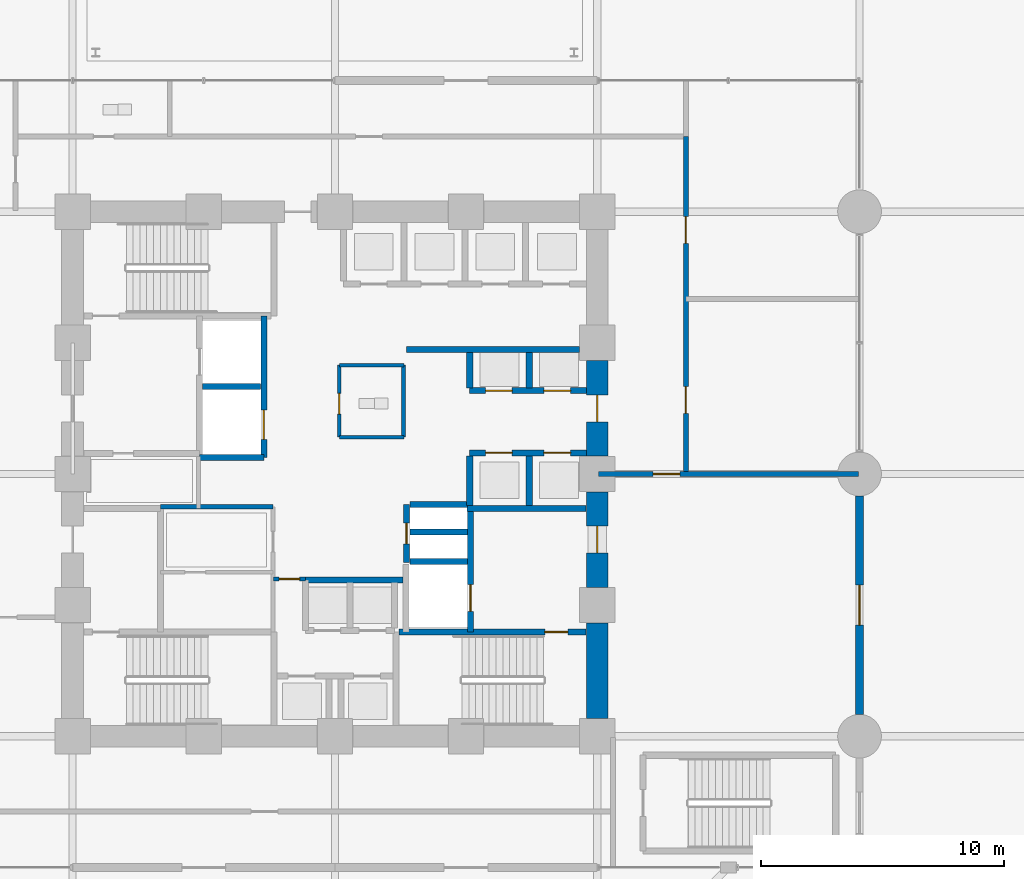
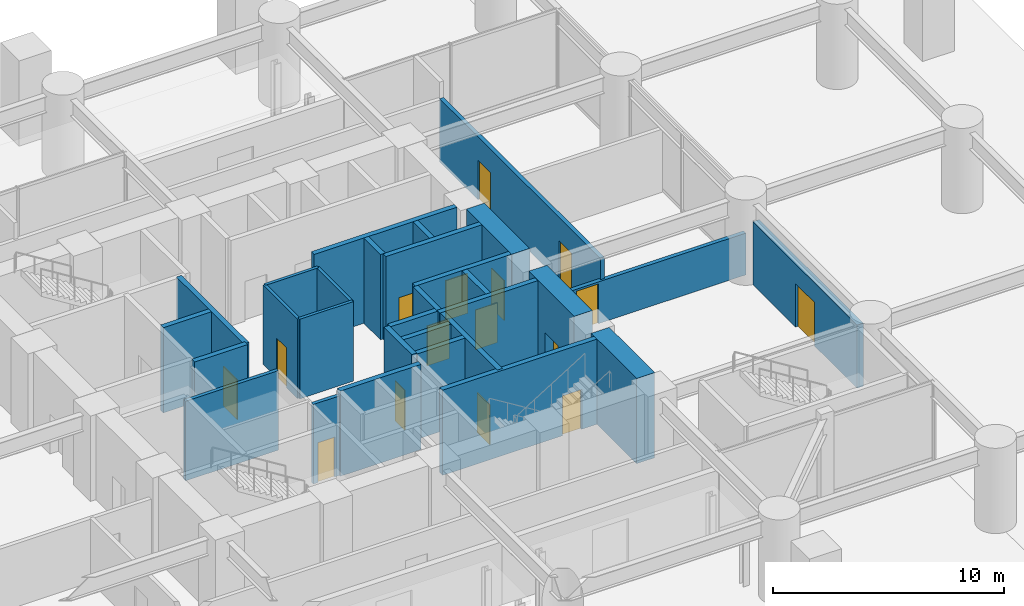
# One storey, part 20 of 29: 30 walls, 16 doors, 16 openings.
"""IFC4 building model written with IfcOpenShell, lengths in metres."""

from ifc_helpers import new_model, si_unit, direction, frame, frame_2d, origin, place, context, subcontext, project, spatial, rectangle, extrude, material, layer, layer_set, type_object, element, fill, save


model = new_model("IFC4")

# Units and contexts
model_context = context("Model", 3, precision=1e-05, world=origin(), true_north=direction((0.0, 1.0)))
body_context = subcontext(model_context, "Body", "Model", "MODEL_VIEW")
ifc_project = project(units=[si_unit("LENGTHUNIT", "METRE"), si_unit("AREAUNIT", "SQUARE_METRE"), si_unit("VOLUMEUNIT", "CUBIC_METRE"), si_unit("PLANEANGLEUNIT", "RADIAN"), si_unit("MASSUNIT", "GRAM", prefix="KILO")], contexts=[model_context])

# Site, building, storey
site_placement = place(None, origin())
site = spatial("IfcSite", under=ifc_project, at=site_placement, CompositionType="ELEMENT")
building_placement = place(site_placement, origin())
building = spatial("IfcBuilding", under=site, at=building_placement, Name="Surkhivell Harbour Commons", CompositionType="ELEMENT")
storey_placement = place(building_placement, origin())
storey = spatial("IfcBuildingStorey", under=building, at=storey_placement, Name="L00", CompositionType="ELEMENT", Elevation=0.0)

# Wall
ifc_material_1 = material(Name="Concrete C80/95", Category="concrete")
ifc_layer_1 = layer(ifc_material_1, 0.89990234375)
ifc_layer_set_1 = layer_set([ifc_layer_1], Name="Concrete C80/95")
wall_type_1 = type_object("IfcWallType", Name="WAL-CORE-900", PredefinedType="SHEAR", material=ifc_layer_set_1)
wall_1_placement = place(storey_placement, frame((10.800048828125, -10.06494140625, 0.0), z_axis=(0.0, 0.0, 1.0), x_axis=(0.0, 1.0, 0.0)))
element("IfcWall", 1, at=wall_1_placement, inside=storey, type_object=wall_type_1, Name="L00 Core Shear Wall East 1", PredefinedType="SHEAR", context=body_context, shape_type="SweptSolid", body=[
    extrude(rectangle(XDim=3.929931640625, YDim=0.89990234375, at=frame_2d((1.96484375, 0.0))), origin(), (0.0, 0.0, 1.0), 4.5),
])

# Wall, opening, door
wall_2_placement = place(storey_placement, frame((10.800048828125, -4.6650390625, 0.0), z_axis=(0.0, 0.0, 1.0), x_axis=(0.0, 1.0, 0.0)))
wall_2 = element("IfcWall", 2, at=wall_2_placement, inside=storey, type_object=wall_type_1, Name="L00 Core Shear Wall East 2", PredefinedType="SHEAR", context=body_context, shape_type="SweptSolid", body=[
    extrude(rectangle(XDim=3.929931640625, YDim=0.89990234375, at=frame_2d((1.96484375, 0.0))), origin(), (0.0, 0.0, 1.0), 4.5),
])
opening_1_placement = place(wall_2_placement, frame((1.4150390625, 0.0, 0.0)))
opening_1 = element("IfcOpeningElement", 3, at=opening_1_placement, cuts=wall_2, Name="Opening ID-1", PredefinedType="OPENING", context=body_context, shape_type="SweptSolid", body=[
    extrude(rectangle(XDim=1.10009765625, YDim=2.10009765625, at=frame_2d((0.550048828125, 1.050048828125))), frame((0.0, 0.4599609375, 0.0), z_axis=(0.0, -1.0, 0.0), x_axis=(1.0, 0.0, 0.0)), (0.0, 0.0, 1.0), 0.919921875),
])
ifc_material_2 = material(Name="Hardwood-veneered fire-rated door leaf", Category="wood")
door_type_1 = type_object("IfcDoorType", Name="DOR-FD120-1100", OperationType="NOTDEFINED", PredefinedType="DOOR", material=ifc_material_2)
door_1_placement = place(opening_1_placement, origin())
door_1 = element("IfcDoor", 4, at=door_1_placement, inside=storey, type_object=door_type_1, Name="L00 Firefighting Lobby 2 Corridor Door", OperationType="SINGLE_SWING_RIGHT", OverallHeight=2.10009765625, OverallWidth=1.10009765625, PredefinedType="DOOR", context=body_context, shape_type="SweptSolid", body=[
    extrude(rectangle(XDim=1.10009765625, YDim=2.10009765625, at=frame_2d((0.550048828125, 1.050048828125))), frame((0.0, 0.02490234375, 0.0), z_axis=(0.0, -1.0, 0.0), x_axis=(1.0, 0.0, 0.0)), (0.0, 0.0, 1.0), 0.050048828125),
])
fill(opening_1, door_1)

wall_3_placement = place(storey_placement, frame((10.800048828125, 0.735107421875, 0.0), z_axis=(0.0, 0.0, 1.0), x_axis=(0.0, 1.0, 0.0)))
wall_3 = element("IfcWall", 5, at=wall_3_placement, inside=storey, type_object=wall_type_1, Name="L00 Core Shear Wall East 3", PredefinedType="SHEAR", context=body_context, shape_type="SweptSolid", body=[
    extrude(rectangle(XDim=3.929931640625, YDim=0.89990234375, at=frame_2d((1.96484375, 0.0))), origin(), (0.0, 0.0, 1.0), 4.5),
])
opening_2_placement = place(wall_3_placement, frame((1.4150390625, 0.0, 0.0)))
opening_2 = element("IfcOpeningElement", 6, at=opening_2_placement, cuts=wall_3, Name="Opening ID-2", PredefinedType="OPENING", context=body_context, shape_type="SweptSolid", body=[
    extrude(rectangle(XDim=1.10009765625, YDim=2.10009765625, at=frame_2d((0.550048828125, 1.050048828125))), frame((0.0, 0.4599609375, 0.0), z_axis=(0.0, -1.0, 0.0), x_axis=(1.0, 0.0, 0.0)), (0.0, 0.0, 1.0), 0.919921875),
])
door_type_2 = type_object("IfcDoorType", Name="DOR-FD60-1100", OperationType="NOTDEFINED", PredefinedType="DOOR", material=ifc_material_2)
door_2_placement = place(opening_2_placement, origin())
door_2 = element("IfcDoor", 7, at=door_2_placement, inside=storey, type_object=door_type_2, Name="L00 Mid-Rise Lobby East Door", OperationType="SINGLE_SWING_LEFT", OverallHeight=2.10009765625, OverallWidth=1.10009765625, PredefinedType="DOOR", context=body_context, shape_type="SweptSolid", body=[
    extrude(rectangle(XDim=1.10009765625, YDim=2.10009765625, at=frame_2d((0.550048828125, 1.050048828125))), frame((0.0, 0.02490234375, 0.0), z_axis=(0.0, -1.0, 0.0), x_axis=(1.0, 0.0, 0.0)), (0.0, 0.0, 1.0), 0.050048828125),
])
fill(opening_2, door_2)

ifc_material_3 = material(Name="Kiln-fired surkhi brick and precast concrete C45/55", Category="masonry")
ifc_layer_2 = layer(ifc_material_3, 0.320068359375)
ifc_layer_set_2 = layer_set([ifc_layer_2], Name="Kiln-fired surkhi brick and precast concrete C45/55")
wall_type_2 = type_object("IfcWallType", Name="WAL-EXT-BRK320", PredefinedType="STANDARD", material=ifc_layer_set_2)
wall_4_placement = place(storey_placement, frame((21.60009765625, -0.89794921875, 0.0), z_axis=(0.0, 0.0, 1.0), x_axis=(0.0, -1.0, 0.0)))
wall_4 = element("IfcWall", 8, at=wall_4_placement, inside=storey, type_object=wall_type_2, Name="L00 Concourse Brick Facade Wall L00-EXE1", PredefinedType="STANDARD", context=body_context, shape_type="SweptSolid", body=[
    extrude(rectangle(XDim=9.004150390625, YDim=0.320068359375, at=frame_2d((4.501953125, 0.0))), origin(), (0.0, 0.0, 1.0), 3.3291015625),
])
opening_3_placement = place(wall_4_placement, frame((3.677001953125, 0.0, 0.0)))
opening_3 = element("IfcOpeningElement", 9, at=opening_3_placement, cuts=wall_4, Name="Opening ED-2", PredefinedType="OPENING", context=body_context, shape_type="SweptSolid", body=[
    extrude(rectangle(XDim=1.64990234375, YDim=2.300048828125, at=frame_2d((0.824951171875, 1.14990234375))), frame((0.0, 0.169921875, 0.0), z_axis=(0.0, -1.0, 0.0), x_axis=(1.0, 0.0, 0.0)), (0.0, 0.0, 1.0), 0.340087890625),
])
ifc_material_4 = material(Name="Anodised pale-metal aluminium and laminated safety glass", Category="aluminium")
door_type_3 = type_object("IfcDoorType", Name="DOR-EXT-EXIT1650", OperationType="DOUBLE_DOOR_SINGLE_SWING", PredefinedType="DOOR", material=ifc_material_4)
door_3_placement = place(opening_3_placement, origin())
door_3 = element("IfcDoor", 10, at=door_3_placement, inside=storey, type_object=door_type_3, Name="L00 East Stair Discharge Final Exit Door", OperationType="DOUBLE_DOOR_SINGLE_SWING", OverallHeight=2.300048828125, OverallWidth=1.64990234375, PredefinedType="DOOR", context=body_context, shape_type="SweptSolid", body=[
    extrude(rectangle(XDim=1.64990234375, YDim=2.300048828125, at=frame_2d((0.824951171875, 1.14990234375))), frame((0.0, 0.02490234375, 0.0), z_axis=(0.0, -1.0, 0.0), x_axis=(1.0, 0.0, 0.0)), (0.0, 0.0, 1.0), 0.050048828125),
])
fill(opening_3, door_3)

# Walls
ifc_material_5 = material(Name="Twin-stud acoustic fireboard partition", Category="other")
ifc_layer_3 = layer(ifc_material_5, 0.14990234375)
ifc_layer_set_3 = layer_set([ifc_layer_3], Name="Twin-stud acoustic fireboard partition")
wall_type_3 = type_object("IfcWallType", Name="WAL-INT-150", PredefinedType="PARTITIONING", material=ifc_layer_set_3)
wall_5_placement = place(storey_placement, frame((2.820068359375, 1.52001953125, 0.0), z_axis=(0.0, 0.0, 1.0), x_axis=(0.0, 1.0, 0.0)))
element("IfcWall", 11, at=wall_5_placement, inside=storey, type_object=wall_type_3, Name="L00 Core Accessible WC East Wall", PredefinedType="PARTITIONING", context=body_context, shape_type="SweptSolid", body=[
    extrude(rectangle(XDim=2.9599609375, YDim=0.14990234375, at=frame_2d((1.47998046875, 0.0))), origin(), (0.0, 0.0, 1.0), 4.199951171875),
])
for number, where, z_axis, x_axis, name in (
    (12, (0.179931640625, 4.47998046875, 0.0), (0.0, 0.0, 1.0), (1.0, 0.0, 0.0), "L00 Core Accessible WC North Wall"),
    (13, (0.179931640625, 1.52001953125, 0.0), (0.0, 0.0, 1.0), (1.0, 0.0, 0.0), "L00 Core Accessible WC South Wall"),
):
    element("IfcWall", number, at=place(storey_placement, frame(where, z_axis=z_axis, x_axis=x_axis)), inside=storey, type_object=wall_type_3, Name=name, PredefinedType="PARTITIONING", context=body_context, shape_type="SweptSolid", body=[
        extrude(rectangle(XDim=2.670166015625, YDim=0.14990234375, at=frame_2d((1.3349609375, 0.0))), origin(), (0.0, 0.0, 1.0), 4.199951171875),
    ])

# Wall, opening, door
wall_6_placement = place(storey_placement, frame((0.179931640625, 1.52001953125, 0.0), z_axis=(0.0, 0.0, 1.0), x_axis=(0.0, 1.0, 0.0)))
wall_6 = element("IfcWall", 14, at=wall_6_placement, inside=storey, type_object=wall_type_3, Name="L00 Core Accessible WC West Wall", PredefinedType="PARTITIONING", context=body_context, shape_type="SweptSolid", body=[
    extrude(rectangle(XDim=2.9599609375, YDim=0.14990234375, at=frame_2d((1.47998046875, 0.0))), origin(), (0.0, 0.0, 1.0), 4.199951171875),
])
opening_4_placement = place(wall_6_placement, frame((0.949951171875, 0.0, 0.0)))
opening_4 = element("IfcOpeningElement", 15, at=opening_4_placement, cuts=wall_6, Name="Opening ID-6", PredefinedType="OPENING", context=body_context, shape_type="SweptSolid", body=[
    extrude(rectangle(XDim=0.85009765625, YDim=2.10009765625, at=frame_2d((0.425048828125, 1.050048828125))), frame((0.0, 0.0849609375, 0.0), z_axis=(0.0, -1.0, 0.0), x_axis=(1.0, 0.0, 0.0)), (0.0, 0.0, 1.0), 0.169921875),
])
door_type_4 = type_object("IfcDoorType", Name="DOR-FD30-850", OperationType="NOTDEFINED", PredefinedType="DOOR", material=ifc_material_2)
door_4_placement = place(opening_4_placement, origin())
door_4 = element("IfcDoor", 16, at=door_4_placement, inside=storey, type_object=door_type_4, Name="L00 Floor Accessible WC Door", OperationType="SINGLE_SWING_RIGHT", OverallHeight=2.10009765625, OverallWidth=0.85009765625, PredefinedType="DOOR", context=body_context, shape_type="SweptSolid", body=[
    extrude(rectangle(XDim=0.85009765625, YDim=2.10009765625, at=frame_2d((0.425048828125, 1.050048828125))), frame((0.0, 0.02490234375, 0.0), z_axis=(0.0, -1.0, 0.0), x_axis=(1.0, 0.0, 0.0)), (0.0, 0.0, 1.0), 0.050048828125),
])
fill(opening_4, door_4)

# Wall
ifc_material_6 = material(Name="High-density acoustic blockwork fire partition", Category="masonry")
ifc_layer_4 = layer(ifc_material_6, 0.175048828125)
ifc_layer_set_4 = layer_set([ifc_layer_4], Name="High-density acoustic blockwork fire partition")
wall_type_4 = type_object("IfcWallType", Name="WAL-INT-175", PredefinedType="PARTITIONING", material=ifc_layer_set_4)
wall_7_placement = place(storey_placement, frame((-7.179931640625, -1.35009765625, 0.0), z_axis=(0.0, 0.0, 1.0), x_axis=(1.0, 0.0, 0.0)))
element("IfcWall", 17, at=wall_7_placement, inside=storey, type_object=wall_type_4, Name="L00 Core Service Bay North Wall", PredefinedType="PARTITIONING", context=body_context, shape_type="SweptSolid", body=[
    extrude(rectangle(XDim=4.6298828125, YDim=0.175048828125, at=frame_2d((2.31494140625, 0.0))), origin(), (0.0, 0.0, 1.0), 4.199951171875),
])

# Wall, opening, door
wall_8_placement = place(storey_placement, frame((-2.52001953125, -4.320068359375, 0.0), z_axis=(0.0, 0.0, 1.0), x_axis=(1.0, 0.0, 0.0)))
wall_8 = element("IfcWall", 18, at=wall_8_placement, inside=storey, type_object=wall_type_4, Name="L00 High-Rise Lobby North Portal Wall", PredefinedType="PARTITIONING", context=body_context, shape_type="SweptSolid", body=[
    extrude(rectangle(XDim=1.300048828125, YDim=0.175048828125, at=frame_2d((0.64990234375, 0.0))), origin(), (0.0, 0.0, 1.0), 4.199951171875),
])
opening_5_placement = place(wall_8_placement, frame((0.219970703125, 0.0, 0.0)))
opening_5 = element("IfcOpeningElement", 19, at=opening_5_placement, cuts=wall_8, Name="Opening ID-6", PredefinedType="OPENING", context=body_context, shape_type="SweptSolid", body=[
    extrude(rectangle(XDim=0.85009765625, YDim=2.10009765625, at=frame_2d((0.425048828125, 1.050048828125))), frame((0.0, 0.097412109375, 0.0), z_axis=(0.0, -1.0, 0.0), x_axis=(1.0, 0.0, 0.0)), (0.0, 0.0, 1.0), 0.195068359375),
])
door_5_placement = place(opening_5_placement, origin())
door_5 = element("IfcDoor", 20, at=door_5_placement, inside=storey, type_object=door_type_4, Name="L00 High-Rise Lift Lobby North Door", OperationType="SINGLE_SWING_LEFT", OverallHeight=2.10009765625, OverallWidth=0.85009765625, PredefinedType="DOOR", context=body_context, shape_type="SweptSolid", body=[
    extrude(rectangle(XDim=0.85009765625, YDim=2.10009765625, at=frame_2d((0.425048828125, 1.050048828125))), frame((0.0, 0.02490234375, 0.0), z_axis=(0.0, -1.0, 0.0), x_axis=(1.0, 0.0, 0.0)), (0.0, 0.0, 1.0), 0.050048828125),
])
fill(opening_5, door_5)

ifc_material_7 = material(Name="Autoclaved aerated concrete blockwork and fire plaster", Category="masonry")
ifc_layer_5 = layer(ifc_material_7, 0.199951171875)
ifc_layer_set_5 = layer_set([ifc_layer_5], Name="Autoclaved aerated concrete blockwork and fire plaster")
wall_type_5 = type_object("IfcWallType", Name="WAL-INT-200", PredefinedType="PARTITIONING", material=ifc_layer_set_5)
wall_9_placement = place(storey_placement, frame((10.85009765625, 0.0, 0.0), z_axis=(0.0, 0.0, 1.0), x_axis=(1.0, 0.0, 0.0)))
wall_9 = element("IfcWall", 21, at=wall_9_placement, inside=storey, type_object=wall_type_5, Name="L00 East Protected Exit Passage North Wall", PredefinedType="PARTITIONING", context=body_context, shape_type="SweptSolid", body=[
    extrude(rectangle(XDim=10.7099609375, YDim=0.199951171875, at=frame_2d((5.35498046875, 0.0))), origin(), (0.0, 0.0, 1.0), 2.205078125),
])
opening_6_placement = place(wall_9_placement, frame((2.25, 0.0, 0.0)))
opening_6 = element("IfcOpeningElement", 22, at=opening_6_placement, cuts=wall_9, Name="Opening ID-2", PredefinedType="OPENING", context=body_context, shape_type="SweptSolid", body=[
    extrude(rectangle(XDim=1.10009765625, YDim=2.10009765625, at=frame_2d((0.550048828125, 1.050048828125))), frame((0.0, 0.10986328125, 0.0), z_axis=(0.0, -1.0, 0.0), x_axis=(1.0, 0.0, 0.0)), (0.0, 0.0, 1.0), 0.219970703125),
])
door_6_placement = place(opening_6_placement, origin())
door_6 = element("IfcDoor", 23, at=door_6_placement, inside=storey, type_object=door_type_2, Name="L00 East Exit Passage North Cross Door", OperationType="SINGLE_SWING_RIGHT", OverallHeight=2.10009765625, OverallWidth=1.10009765625, PredefinedType="DOOR", context=body_context, shape_type="SweptSolid", body=[
    extrude(rectangle(XDim=1.10009765625, YDim=2.10009765625, at=frame_2d((0.550048828125, 1.050048828125))), frame((0.0, 0.02490234375, 0.0), z_axis=(0.0, -1.0, 0.0), x_axis=(1.0, 0.0, 0.0)), (0.0, 0.0, 1.0), 0.050048828125),
])
fill(opening_6, door_6)

# Wall, openings, doors
wall_10_placement = place(storey_placement, frame((14.449951171875, 0.0, 0.0), z_axis=(0.0, 0.0, 1.0), x_axis=(0.0, 1.0, 0.0)))
wall_10 = element("IfcWall", 24, at=wall_10_placement, inside=storey, type_object=wall_type_5, Name="L00 Concourse North-East Wall", PredefinedType="PARTITIONING", context=body_context, shape_type="SweptSolid", body=[
    extrude(rectangle(XDim=13.89990234375, YDim=0.199951171875, at=frame_2d((6.949951171875, 0.0))), origin(), (0.0, 0.0, 1.0), 3.3291015625),
])
opening_7_placement = place(wall_10_placement, frame((2.5, 0.0, 0.0)))
opening_7 = element("IfcOpeningElement", 25, at=opening_7_placement, cuts=wall_10, Name="Opening ID-2", PredefinedType="OPENING", context=body_context, shape_type="SweptSolid", body=[
    extrude(rectangle(XDim=1.10009765625, YDim=2.10009765625, at=frame_2d((0.550048828125, 1.050048828125))), frame((0.0, 0.10986328125, 0.0), z_axis=(0.0, -1.0, 0.0), x_axis=(1.0, 0.0, 0.0)), (0.0, 0.0, 1.0), 0.219970703125),
])
opening_8_placement = place(wall_10_placement, frame((9.5, 0.0, 0.0)))
opening_8 = element("IfcOpeningElement", 26, at=opening_8_placement, cuts=wall_10, Name="Opening ID-2", PredefinedType="OPENING", context=body_context, shape_type="SweptSolid", body=[
    extrude(rectangle(XDim=1.10009765625, YDim=2.10009765625, at=frame_2d((0.550048828125, 1.050048828125))), frame((0.0, 0.10986328125, 0.0), z_axis=(0.0, -1.0, 0.0), x_axis=(1.0, 0.0, 0.0)), (0.0, 0.0, 1.0), 0.219970703125),
])
door_7_placement = place(opening_7_placement, origin())
door_7 = element("IfcDoor", 27, at=door_7_placement, inside=storey, type_object=door_type_2, Name="L00 Fire Control Centre Door", OperationType="SINGLE_SWING_RIGHT", OverallHeight=2.10009765625, OverallWidth=1.10009765625, PredefinedType="DOOR", context=body_context, shape_type="SweptSolid", body=[
    extrude(rectangle(XDim=1.10009765625, YDim=2.10009765625, at=frame_2d((0.550048828125, 1.050048828125))), frame((0.0, 0.02490234375, 0.0), z_axis=(0.0, -1.0, 0.0), x_axis=(1.0, 0.0, 0.0)), (0.0, 0.0, 1.0), 0.050048828125),
])
fill(opening_7, door_7)
door_8_placement = place(opening_8_placement, origin())
door_8 = element("IfcDoor", 28, at=door_8_placement, inside=storey, type_object=door_type_2, Name="L00 Concierge and Parcel Foyer Door", OperationType="SINGLE_SWING_LEFT", OverallHeight=2.10009765625, OverallWidth=1.10009765625, PredefinedType="DOOR", context=body_context, shape_type="SweptSolid", body=[
    extrude(rectangle(XDim=1.10009765625, YDim=2.10009765625, at=frame_2d((0.550048828125, 1.050048828125))), frame((0.0, 0.02490234375, 0.0), z_axis=(0.0, -1.0, 0.0), x_axis=(1.0, 0.0, 0.0)), (0.0, 0.0, 1.0), 0.050048828125),
])
fill(opening_8, door_8)

# Walls
ifc_material_8 = material(Name="Concrete C50/60", Category="concrete")
ifc_layer_6 = layer(ifc_material_8, 0.25)
ifc_layer_set_6 = layer_set([ifc_layer_6], Name="Concrete C50/60")
wall_type_6 = type_object("IfcWallType", Name="WAL-SHAFT-250", PredefinedType="SHEAR", material=ifc_layer_set_6)
wall_11_placement = place(storey_placement, frame((5.43994140625, -1.419921875, 0.0), z_axis=(0.0, 0.0, 1.0), x_axis=(1.0, 0.0, 0.0)))
element("IfcWall", 29, at=wall_11_placement, inside=storey, type_object=wall_type_6, Name="L00 Firefighting Lobby 2 North Wall", PredefinedType="SHEAR", context=body_context, shape_type="SweptSolid", body=[
    extrude(rectangle(XDim=4.900146484375, YDim=0.25, at=frame_2d((2.4501953125, 0.0))), origin(), (0.0, 0.0, 1.0), 4.5),
])
wall_12_placement = place(storey_placement, frame((3.080078125, -3.60009765625, 0.0), z_axis=(0.0, 0.0, 1.0), x_axis=(1.0, 0.0, 0.0)))
element("IfcWall", 30, at=wall_12_placement, inside=storey, type_object=wall_type_6, Name="L00 FFL2 North Shaft Wall", PredefinedType="SHEAR", context=body_context, shape_type="SweptSolid", body=[
    extrude(rectangle(XDim=2.369873046875, YDim=0.25, at=frame_2d((1.18505859375, 0.0))), origin(), (0.0, 0.0, 1.0), 4.5),
])

# Wall, opening, door
wall_13_placement = place(storey_placement, frame((5.580078125, -6.510009765625, 0.0), z_axis=(0.0, 0.0, 1.0), x_axis=(0.0, 1.0, 0.0)))
wall_13 = element("IfcWall", 31, at=wall_13_placement, inside=storey, type_object=wall_type_6, Name="L00 Firefighting Lobby 2 West Shaft Wall", PredefinedType="SHEAR", context=body_context, shape_type="SweptSolid", body=[
    extrude(rectangle(XDim=5.090087890625, YDim=0.25, at=frame_2d((2.544921875, 0.0))), origin(), (0.0, 0.0, 1.0), 4.5),
])
opening_9_placement = place(wall_13_placement, frame((0.85009765625, 0.0, 0.0)))
opening_9 = element("IfcOpeningElement", 32, at=opening_9_placement, cuts=wall_13, Name="Opening LD-1", PredefinedType="OPENING", context=body_context, shape_type="SweptSolid", body=[
    extrude(rectangle(XDim=1.10009765625, YDim=2.10009765625, at=frame_2d((0.550048828125, 1.050048828125))), frame((0.0, 0.135009765625, 0.0), z_axis=(0.0, -1.0, 0.0), x_axis=(1.0, 0.0, 0.0)), (0.0, 0.0, 1.0), 0.27001953125),
])
ifc_material_9 = material(Name="Brushed stainless steel S355", Category="steel")
door_type_5 = type_object("IfcDoorType", Name="DOR-LD-1100", OperationType="SLIDING_TO_LEFT", PredefinedType="DOOR", material=ifc_material_9)
door_9_placement = place(opening_9_placement, origin())
door_9 = element("IfcDoor", 33, at=door_9_placement, inside=storey, type_object=door_type_5, Name="L00 Lift Landing Door LD-FFL2", OperationType="SLIDING_TO_RIGHT", OverallHeight=2.10009765625, OverallWidth=1.10009765625, PredefinedType="DOOR", context=body_context, shape_type="SweptSolid", body=[
    extrude(rectangle(XDim=1.10009765625, YDim=2.10009765625, at=frame_2d((0.550048828125, 1.050048828125))), frame((0.0, 0.02490234375, 0.0), z_axis=(0.0, -1.0, 0.0), x_axis=(1.0, 0.0, 0.0)), (0.0, 0.0, 1.0), 0.050048828125),
])
fill(opening_9, door_9)

# Walls
wall_14_placement = place(storey_placement, frame((-1.219970703125, -4.360107421875, 0.0), z_axis=(0.0, 0.0, 1.0), x_axis=(1.0, 0.0, 0.0)))
element("IfcWall", 34, at=wall_14_placement, inside=storey, type_object=wall_type_6, Name="L00 High-Rise North Back Shaft Wall", PredefinedType="SHEAR", context=body_context, shape_type="SweptSolid", body=[
    extrude(rectangle(XDim=4.030029296875, YDim=0.25, at=frame_2d((2.01513671875, 0.0))), origin(), (0.0, 0.0, 1.0), 4.5),
])
wall_15_placement = place(storey_placement, frame((2.949951171875, 5.1201171875, 0.0), z_axis=(0.0, 0.0, 1.0), x_axis=(1.0, 0.0, 0.0)))
element("IfcWall", 35, at=wall_15_placement, inside=storey, type_object=wall_type_6, Name="L00 Low-Rise Lobby South Wall", PredefinedType="SHEAR", context=body_context, shape_type="SweptSolid", body=[
    extrude(rectangle(XDim=7.125, YDim=0.25, at=frame_2d((3.5625, 0.0))), origin(), (0.0, 0.0, 1.0), 4.5),
])
for number, where, z_axis, x_axis, name in (
    (36, (5.550048828125, 3.550048828125, 0.0), (0.0, 0.0, 1.0), (0.0, 1.0, 0.0), "L00 Mid-Rise Shaft Side Wall N"),
    (37, (8.0, 3.550048828125, 0.0), (0.0, 0.0, 1.0), (0.0, 1.0, 0.0), "L00 Mid-Rise Shaft Side Wall N"),
):
    element("IfcWall", number, at=place(storey_placement, frame(where, z_axis=z_axis, x_axis=x_axis)), inside=storey, type_object=wall_type_6, Name=name, PredefinedType="SHEAR", context=body_context, shape_type="SweptSolid", body=[
        extrude(rectangle(XDim=1.449951171875, YDim=0.25, at=frame_2d((0.72509765625, 0.0))), origin(), (0.0, 0.0, 1.0), 4.5),
    ])
for number, where, z_axis, x_axis, name in (
    (38, (5.550048828125, -1.300048828125, 0.0), (0.0, 0.0, 1.0), (0.0, 1.0, 0.0), "L00 Mid-Rise Shaft Side Wall S"),
    (39, (8.0, -1.300048828125, 0.0), (0.0, 0.0, 1.0), (0.0, 1.0, 0.0), "L00 Mid-Rise Shaft Side Wall S"),
):
    element("IfcWall", number, at=place(storey_placement, frame(where, z_axis=z_axis, x_axis=x_axis)), inside=storey, type_object=wall_type_6, Name=name, PredefinedType="SHEAR", context=body_context, shape_type="SweptSolid", body=[
        extrude(rectangle(XDim=2.0400390625, YDim=0.25, at=frame_2d((1.02001953125, 0.0))), origin(), (0.0, 0.0, 1.0), 4.5),
    ])

# Wall, openings, doors
wall_16_placement = place(storey_placement, frame((5.550048828125, 3.429931640625, 0.0), z_axis=(0.0, 0.0, 1.0), x_axis=(1.0, 0.0, 0.0)))
wall_16 = element("IfcWall", 40, at=wall_16_placement, inside=storey, type_object=wall_type_6, Name="L00 Mid-Rise North Front Shaft Wall", PredefinedType="SHEAR", context=body_context, shape_type="SweptSolid", body=[
    extrude(rectangle(XDim=4.800048828125, YDim=0.25, at=frame_2d((2.39990234375, 0.0))), origin(), (0.0, 0.0, 1.0), 4.5),
])
opening_10_placement = place(wall_16_placement, frame((0.64990234375, 0.0, 0.0)))
opening_10 = element("IfcOpeningElement", 41, at=opening_10_placement, cuts=wall_16, Name="Opening LD-1", PredefinedType="OPENING", context=body_context, shape_type="SweptSolid", body=[
    extrude(rectangle(XDim=1.10009765625, YDim=2.10009765625, at=frame_2d((0.550048828125, 1.050048828125))), frame((0.0, 0.135009765625, 0.0), z_axis=(0.0, -1.0, 0.0), x_axis=(1.0, 0.0, 0.0)), (0.0, 0.0, 1.0), 0.27001953125),
])
opening_11_placement = place(wall_16_placement, frame((3.050048828125, 0.0, 0.0)))
opening_11 = element("IfcOpeningElement", 42, at=opening_11_placement, cuts=wall_16, Name="Opening LD-1", PredefinedType="OPENING", context=body_context, shape_type="SweptSolid", body=[
    extrude(rectangle(XDim=1.10009765625, YDim=2.10009765625, at=frame_2d((0.550048828125, 1.050048828125))), frame((0.0, 0.135009765625, 0.0), z_axis=(0.0, -1.0, 0.0), x_axis=(1.0, 0.0, 0.0)), (0.0, 0.0, 1.0), 0.27001953125),
])
door_10_placement = place(opening_10_placement, origin())
door_10 = element("IfcDoor", 43, at=door_10_placement, inside=storey, type_object=door_type_5, Name="L00 Lift Landing Door LD-PM1", OperationType="SLIDING_TO_RIGHT", OverallHeight=2.10009765625, OverallWidth=1.10009765625, PredefinedType="DOOR", context=body_context, shape_type="SweptSolid", body=[
    extrude(rectangle(XDim=1.10009765625, YDim=2.10009765625, at=frame_2d((0.550048828125, 1.050048828125))), frame((0.0, 0.02490234375, 0.0), z_axis=(0.0, -1.0, 0.0), x_axis=(1.0, 0.0, 0.0)), (0.0, 0.0, 1.0), 0.050048828125),
])
fill(opening_10, door_10)
door_11_placement = place(opening_11_placement, origin())
door_11 = element("IfcDoor", 44, at=door_11_placement, inside=storey, type_object=door_type_5, Name="L00 Lift Landing Door LD-PM2", OperationType="SLIDING_TO_RIGHT", OverallHeight=2.10009765625, OverallWidth=1.10009765625, PredefinedType="DOOR", context=body_context, shape_type="SweptSolid", body=[
    extrude(rectangle(XDim=1.10009765625, YDim=2.10009765625, at=frame_2d((0.550048828125, 1.050048828125))), frame((0.0, 0.02490234375, 0.0), z_axis=(0.0, -1.0, 0.0), x_axis=(1.0, 0.0, 0.0)), (0.0, 0.0, 1.0), 0.050048828125),
])
fill(opening_11, door_11)

wall_17_placement = place(storey_placement, frame((5.550048828125, 0.8701171875, 0.0), z_axis=(0.0, 0.0, 1.0), x_axis=(1.0, 0.0, 0.0)))
wall_17 = element("IfcWall", 45, at=wall_17_placement, inside=storey, type_object=wall_type_6, Name="L00 Mid-Rise South Front Shaft Wall", PredefinedType="SHEAR", context=body_context, shape_type="SweptSolid", body=[
    extrude(rectangle(XDim=4.800048828125, YDim=0.25, at=frame_2d((2.39990234375, 0.0))), origin(), (0.0, 0.0, 1.0), 4.5),
])
opening_12_placement = place(wall_17_placement, frame((0.64990234375, 0.0, 0.0)))
opening_12 = element("IfcOpeningElement", 46, at=opening_12_placement, cuts=wall_17, Name="Opening LD-1", PredefinedType="OPENING", context=body_context, shape_type="SweptSolid", body=[
    extrude(rectangle(XDim=1.10009765625, YDim=2.10009765625, at=frame_2d((0.550048828125, 1.050048828125))), frame((0.0, 0.135009765625, 0.0), z_axis=(0.0, -1.0, 0.0), x_axis=(1.0, 0.0, 0.0)), (0.0, 0.0, 1.0), 0.27001953125),
])
opening_13_placement = place(wall_17_placement, frame((3.050048828125, 0.0, 0.0)))
opening_13 = element("IfcOpeningElement", 47, at=opening_13_placement, cuts=wall_17, Name="Opening LD-1", PredefinedType="OPENING", context=body_context, shape_type="SweptSolid", body=[
    extrude(rectangle(XDim=1.10009765625, YDim=2.10009765625, at=frame_2d((0.550048828125, 1.050048828125))), frame((0.0, 0.135009765625, 0.0), z_axis=(0.0, -1.0, 0.0), x_axis=(1.0, 0.0, 0.0)), (0.0, 0.0, 1.0), 0.27001953125),
])
door_12_placement = place(opening_12_placement, origin())
door_12 = element("IfcDoor", 48, at=door_12_placement, inside=storey, type_object=door_type_5, Name="L00 Lift Landing Door LD-PM3", OperationType="SLIDING_TO_RIGHT", OverallHeight=2.10009765625, OverallWidth=1.10009765625, PredefinedType="DOOR", context=body_context, shape_type="SweptSolid", body=[
    extrude(rectangle(XDim=1.10009765625, YDim=2.10009765625, at=frame_2d((0.550048828125, 1.050048828125))), frame((0.0, 0.02490234375, 0.0), z_axis=(0.0, -1.0, 0.0), x_axis=(1.0, 0.0, 0.0)), (0.0, 0.0, 1.0), 0.050048828125),
])
fill(opening_12, door_12)
door_13_placement = place(opening_13_placement, origin())
door_13 = element("IfcDoor", 49, at=door_13_placement, inside=storey, type_object=door_type_5, Name="L00 Lift Landing Door LD-PM4", OperationType="SLIDING_TO_RIGHT", OverallHeight=2.10009765625, OverallWidth=1.10009765625, PredefinedType="DOOR", context=body_context, shape_type="SweptSolid", body=[
    extrude(rectangle(XDim=1.10009765625, YDim=2.10009765625, at=frame_2d((0.550048828125, 1.050048828125))), frame((0.0, 0.02490234375, 0.0), z_axis=(0.0, -1.0, 0.0), x_axis=(1.0, 0.0, 0.0)), (0.0, 0.0, 1.0), 0.050048828125),
])
fill(opening_13, door_13)

# Walls
for number, where, z_axis, x_axis, name in (
    (50, (3.080078125, -2.3798828125, 0.0), (0.0, 0.0, 1.0), (1.0, 0.0, 0.0), "L00 Riser Divider Wall"),
    (51, (3.080078125, -1.25, 0.0), (0.0, 0.0, 1.0), (1.0, 0.0, 0.0), "L00 Riser North Wall"),
):
    element("IfcWall", number, at=place(storey_placement, frame(where, z_axis=z_axis, x_axis=x_axis)), inside=storey, type_object=wall_type_6, Name=name, PredefinedType="SHEAR", context=body_context, shape_type="SweptSolid", body=[
        extrude(rectangle(XDim=2.369873046875, YDim=0.25, at=frame_2d((1.18505859375, 0.0))), origin(), (0.0, 0.0, 1.0), 4.5),
    ])

# Wall, opening, door
wall_18_placement = place(storey_placement, frame((2.949951171875, -3.64990234375, 0.0), z_axis=(0.0, 0.0, 1.0), x_axis=(0.0, 1.0, 0.0)))
wall_18 = element("IfcWall", 52, at=wall_18_placement, inside=storey, type_object=wall_type_6, Name="L00 Riser Shaft West Wall", PredefinedType="SHEAR", context=body_context, shape_type="SweptSolid", body=[
    extrude(rectangle(XDim=2.39990234375, YDim=0.25, at=frame_2d((1.199951171875, 0.0))), origin(), (0.0, 0.0, 1.0), 4.5),
])
opening_14_placement = place(wall_18_placement, frame((0.77490234375, 0.0, 0.0)))
opening_14 = element("IfcOpeningElement", 53, at=opening_14_placement, cuts=wall_18, Name="Opening ID-6", PredefinedType="OPENING", context=body_context, shape_type="SweptSolid", body=[
    extrude(rectangle(XDim=0.85009765625, YDim=2.10009765625, at=frame_2d((0.425048828125, 1.050048828125))), frame((0.0, 0.135009765625, 0.0), z_axis=(0.0, -1.0, 0.0), x_axis=(1.0, 0.0, 0.0)), (0.0, 0.0, 1.0), 0.27001953125),
])
door_14_placement = place(opening_14_placement, origin())
door_14 = element("IfcDoor", 54, at=door_14_placement, inside=storey, type_object=door_type_4, Name="L00 Electrical Riser Access Door", OperationType="SINGLE_SWING_LEFT", OverallHeight=2.10009765625, OverallWidth=0.85009765625, PredefinedType="DOOR", context=body_context, shape_type="SweptSolid", body=[
    extrude(rectangle(XDim=0.85009765625, YDim=2.10009765625, at=frame_2d((0.425048828125, 1.050048828125))), frame((0.0, 0.02490234375, 0.0), z_axis=(0.0, -1.0, 0.0), x_axis=(1.0, 0.0, 0.0)), (0.0, 0.0, 1.0), 0.050048828125),
])
fill(opening_14, door_14)

wall_19_placement = place(storey_placement, frame((2.639892578125, -6.510009765625, 0.0), z_axis=(0.0, 0.0, 1.0), x_axis=(1.0, 0.0, 0.0)))
wall_19 = element("IfcWall", 55, at=wall_19_placement, inside=storey, type_object=wall_type_6, Name="L00 Stair ST2 North Shear Wall", PredefinedType="SHEAR", context=body_context, shape_type="SweptSolid", body=[
    extrude(rectangle(XDim=7.7001953125, YDim=0.25, at=frame_2d((3.85009765625, 0.0))), origin(), (0.0, 0.0, 1.0), 4.5),
])
opening_15_placement = place(wall_19_placement, frame((6.0, 0.0, 0.0)))
opening_15 = element("IfcOpeningElement", 56, at=opening_15_placement, cuts=wall_19, Name="Opening ID-4", PredefinedType="OPENING", context=body_context, shape_type="SweptSolid", body=[
    extrude(rectangle(XDim=0.949951171875, YDim=2.10009765625, at=frame_2d((0.47509765625, 1.050048828125))), frame((0.0, 0.135009765625, 0.0), z_axis=(0.0, -1.0, 0.0), x_axis=(1.0, 0.0, 0.0)), (0.0, 0.0, 1.0), 0.27001953125),
])
door_type_6 = type_object("IfcDoorType", Name="DOR-FD60-950", OperationType="NOTDEFINED", PredefinedType="DOOR", material=ifc_material_2)
door_15_placement = place(opening_15_placement, origin())
door_15 = element("IfcDoor", 57, at=door_15_placement, inside=storey, type_object=door_type_6, Name="L00 Stair ST2 Exit Door", OperationType="SINGLE_SWING_RIGHT", OverallHeight=2.10009765625, OverallWidth=0.949951171875, PredefinedType="DOOR", context=body_context, shape_type="SweptSolid", body=[
    extrude(rectangle(XDim=0.949951171875, YDim=2.10009765625, at=frame_2d((0.47509765625, 1.050048828125))), frame((0.0, 0.02490234375, 0.0), z_axis=(0.0, -1.0, 0.0), x_axis=(1.0, 0.0, 0.0)), (0.0, 0.0, 1.0), 0.050048828125),
])
fill(opening_15, door_15)

wall_20_placement = place(storey_placement, frame((-2.929931640625, 0.679931640625, 0.0), z_axis=(0.0, 0.0, 1.0), x_axis=(0.0, 1.0, 0.0)))
wall_20 = element("IfcWall", 58, at=wall_20_placement, inside=storey, type_object=wall_type_6, Name="L00 Service and Fire Lift East Shaft Wall", PredefinedType="SHEAR", context=body_context, shape_type="SweptSolid", body=[
    extrude(rectangle(XDim=5.830078125, YDim=0.25, at=frame_2d((2.9150390625, 0.0))), origin(), (0.0, 0.0, 1.0), 4.5),
])
opening_16_placement = place(wall_20_placement, frame((0.75, 0.0, 0.0)))
opening_16 = element("IfcOpeningElement", 59, at=opening_16_placement, cuts=wall_20, Name="Opening LD-2", PredefinedType="OPENING", context=body_context, shape_type="SweptSolid", body=[
    extrude(rectangle(XDim=1.199951171875, YDim=2.10009765625, at=frame_2d((0.60009765625, 1.050048828125))), frame((0.0, 0.135009765625, 0.0), z_axis=(0.0, -1.0, 0.0), x_axis=(1.0, 0.0, 0.0)), (0.0, 0.0, 1.0), 0.27001953125),
])
door_type_7 = type_object("IfcDoorType", Name="DOR-LD-1200", OperationType="SLIDING_TO_LEFT", PredefinedType="DOOR", material=ifc_material_9)
door_16_placement = place(opening_16_placement, origin())
door_16 = element("IfcDoor", 60, at=door_16_placement, inside=storey, type_object=door_type_7, Name="L00 Lift Landing Door LD-SVL1", OperationType="SLIDING_TO_LEFT", OverallHeight=2.10009765625, OverallWidth=1.199951171875, PredefinedType="DOOR", context=body_context, shape_type="SweptSolid", body=[
    extrude(rectangle(XDim=1.199951171875, YDim=2.10009765625, at=frame_2d((0.60009765625, 1.050048828125))), frame((0.0, 0.02490234375, 0.0), z_axis=(0.0, -1.0, 0.0), x_axis=(1.0, 0.0, 0.0)), (0.0, 0.0, 1.0), 0.050048828125),
])
fill(opening_16, door_16)

# Walls
wall_21_placement = place(storey_placement, frame((-5.449951171875, 3.60009765625, 0.0), z_axis=(0.0, 0.0, 1.0), x_axis=(1.0, 0.0, 0.0)))
element("IfcWall", 61, at=wall_21_placement, inside=storey, type_object=wall_type_6, Name="L00 FFL1/SVL1 Shaft Divider", PredefinedType="SHEAR", context=body_context, shape_type="SweptSolid", body=[
    extrude(rectangle(XDim=2.389892578125, YDim=0.25, at=frame_2d((1.19482421875, 0.0))), origin(), (0.0, 0.0, 1.0), 4.5),
])
wall_22_placement = place(storey_placement, frame((-5.580078125, 0.679931640625, 0.0), z_axis=(0.0, 0.0, 1.0), x_axis=(1.0, 0.0, 0.0)))
element("IfcWall", 62, at=wall_22_placement, inside=storey, type_object=wall_type_6, Name="L00 SVL1 South Shaft Wall", PredefinedType="SHEAR", context=body_context, shape_type="SweptSolid", body=[
    extrude(rectangle(XDim=2.650146484375, YDim=0.25, at=frame_2d((1.3251953125, 0.0))), origin(), (0.0, 0.0, 1.0), 4.5),
])

save(model, "model.ifc")
